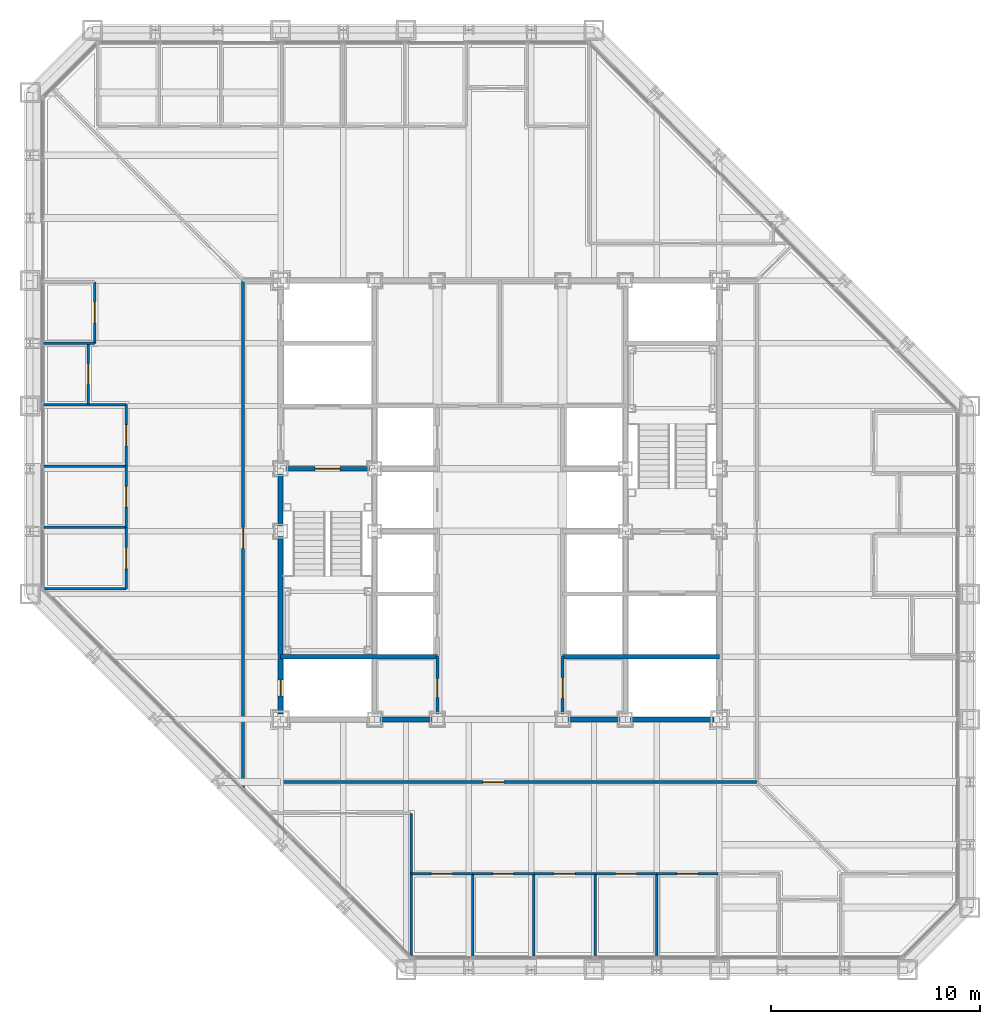
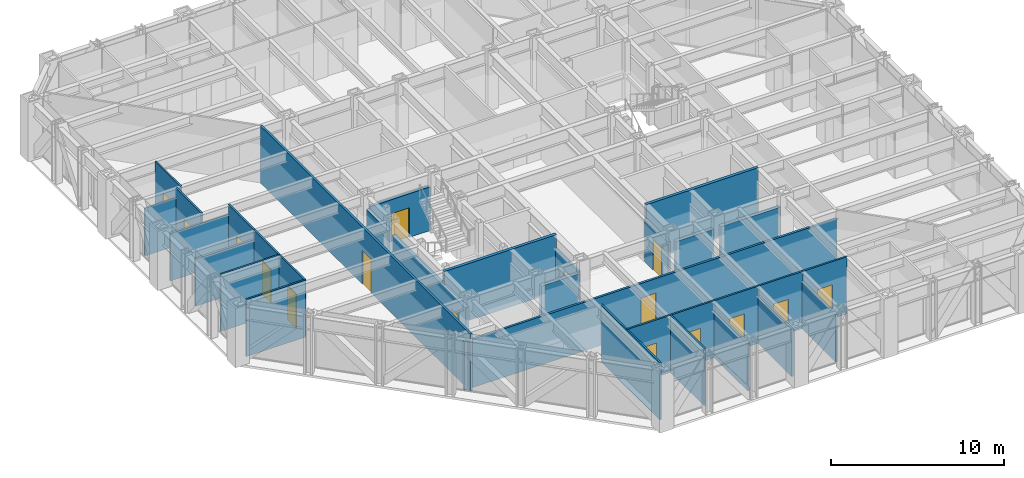
# One storey, part 10 of 17: 32 walls, 16 doors, 16 openings.
"""IFC4 building model written with IfcOpenShell, lengths in metres."""

from ifc_helpers import new_model, si_unit, direction, frame, frame_2d, origin, place, context, subcontext, project, spatial, rectangle, extrude, material, layer, layer_set, type_object, element, fill, save


model = new_model("IFC4")

# Units and contexts
model_context = context("Model", 3, precision=1e-05, world=origin(), true_north=direction((0.0, 1.0)))
body_context = subcontext(model_context, "Body", "Model", "MODEL_VIEW")
ifc_project = project(units=[si_unit("LENGTHUNIT", "METRE"), si_unit("AREAUNIT", "SQUARE_METRE"), si_unit("VOLUMEUNIT", "CUBIC_METRE"), si_unit("PLANEANGLEUNIT", "RADIAN"), si_unit("MASSUNIT", "GRAM", prefix="KILO")], contexts=[model_context])

# Site, building, storey
site_placement = place(None, origin())
site = spatial("IfcSite", under=ifc_project, at=site_placement, CompositionType="ELEMENT")
building_placement = place(site_placement, origin())
building = spatial("IfcBuilding", under=site, at=building_placement, Name="Chuquiago Exchange Tower", CompositionType="ELEMENT")
storey_placement = place(building_placement, frame((0.0, 0.0, 132.0)))
storey = spatial("IfcBuildingStorey", under=building, at=storey_placement, Name="L28", CompositionType="ELEMENT", Elevation=132.0)

# Wall, opening, door
ifc_material_1 = material(Name="Concrete masonry, fully grouted", Category="masonry")
ifc_layer_1 = layer(ifc_material_1, 0.25)
ifc_layer_set_1 = layer_set([ifc_layer_1], Name="W1 core wall 250")
wall_type_1 = type_object("IfcWallType", Name="W1 core wall 250", PredefinedType="SOLIDWALL", material=ifc_layer_set_1)
wall_1_placement = place(storey_placement, frame((12.0, 12.25, 0.0), z_axis=(0.0, 0.0, 1.0), x_axis=(0.0, 1.0, 0.0)))
wall_1 = element("IfcWall", 1, at=wall_1_placement, inside=storey, type_object=wall_type_1, Name="CW-L28-00-0", PredefinedType="SOLIDWALL", context=body_context, shape_type="SweptSolid", body=[
    extrude(rectangle(XDim=8.5, YDim=0.25, at=frame_2d((4.25, 0.0))), origin(), (0.0, 0.0, 1.0), 3.11279296875),
])
opening_1_placement = place(wall_1_placement, frame((0.875, 0.0, 0.0)))
opening_1 = element("IfcOpeningElement", 2, at=opening_1_placement, cuts=wall_1, Name="Opening L28-007", PredefinedType="OPENING", context=body_context, shape_type="SweptSolid", body=[
    extrude(rectangle(XDim=0.75, YDim=2.10009765625, at=frame_2d((0.375, 1.050048828125))), frame((0.0, 0.135009765625, 0.0), z_axis=(0.0, -1.0, 0.0), x_axis=(1.0, 0.0, 0.0)), (0.0, 0.0, 1.0), 0.27001953125),
])
ifc_material_2 = material(Name="Steel door, painted", Category="steel")
door_type_1 = type_object("IfcDoorType", Name="D6 riser access door 750x2100", OperationType="SINGLE_SWING_LEFT", PredefinedType="DOOR", material=ifc_material_2)
door_1_placement = place(opening_1_placement, frame((0.75, 0.0, 0.0), z_axis=(0.0, 0.0, 1.0), x_axis=(-1.0, 0.0, 0.0)))
door_1 = element("IfcDoor", 3, at=door_1_placement, inside=storey, type_object=door_type_1, Name="Riser RW1 door", OperationType="SINGLE_SWING_RIGHT", OverallHeight=2.10009765625, OverallWidth=0.75, PredefinedType="DOOR", context=body_context, shape_type="SweptSolid", body=[
    extrude(rectangle(XDim=0.75, YDim=2.10009765625, at=frame_2d((0.375, 1.050048828125))), frame((0.0, 0.02490234375, 0.0), z_axis=(0.0, -1.0, 0.0), x_axis=(1.0, 0.0, 0.0)), (0.0, 0.0, 1.0), 0.050048828125),
])
fill(opening_1, door_1)

# Walls
wall_2_placement = place(storey_placement, frame((12.0, 21.25, 0.0), z_axis=(0.0, 0.0, 1.0), x_axis=(0.0, 1.0, 0.0)))
element("IfcWall", 4, at=wall_2_placement, inside=storey, type_object=wall_type_1, Name="CW-L28-00-1", PredefinedType="SOLIDWALL", context=body_context, shape_type="SweptSolid", body=[
    extrude(rectangle(XDim=2.5, YDim=0.25, at=frame_2d((1.25, 0.0))), origin(), (0.0, 0.0, 1.0), 3.11279296875),
])
for number, where, z_axis, x_axis, name in (
    (5, (16.75, 12.0, 0.0), (0.0, 0.0, 1.0), (1.0, 0.0, 0.0), "CW-L28-01-1"),
    (6, (25.75, 12.0, 0.0), (0.0, 0.0, 1.0), (1.0, 0.0, 0.0), "CW-L28-02-0"),
):
    element("IfcWall", number, at=place(storey_placement, frame(where, z_axis=z_axis, x_axis=x_axis)), inside=storey, type_object=wall_type_1, Name=name, PredefinedType="SOLIDWALL", context=body_context, shape_type="SweptSolid", body=[
        extrude(rectangle(XDim=2.5, YDim=0.25, at=frame_2d((1.25, 0.0))), origin(), (0.0, 0.0, 1.0), 3.181396484375),
    ])
wall_3_placement = place(storey_placement, frame((28.75, 12.0, 0.0), z_axis=(0.0, 0.0, 1.0), x_axis=(1.0, 0.0, 0.0)))
element("IfcWall", 7, at=wall_3_placement, inside=storey, type_object=wall_type_1, Name="CW-L28-02-1", PredefinedType="SOLIDWALL", context=body_context, shape_type="SweptSolid", body=[
    extrude(rectangle(XDim=4.0, YDim=0.25, at=frame_2d((2.0, 0.0))), origin(), (0.0, 0.0, 1.0), 3.181396484375),
])

# Wall, opening, door
ifc_material_3 = material(Name="Gypsum board on steel studs, acoustic insulation", Category="steel")
ifc_layer_2 = layer(ifc_material_3, 0.14990234375)
ifc_layer_set_2 = layer_set([ifc_layer_2], Name="W11 corridor wall 150")
wall_type_2 = type_object("IfcWallType", Name="W11 corridor wall 150", PredefinedType="PARTITIONING", material=ifc_layer_set_2)
wall_4_placement = place(storey_placement, frame((9.885498046875, 9.0, 0.0), z_axis=(0.0, 0.0, 1.0), x_axis=(1.0, 0.0, 0.0)))
wall_4 = element("IfcWall", 8, at=wall_4_placement, inside=storey, type_object=wall_type_2, Name="PW-L28-GS0", PredefinedType="PARTITIONING", context=body_context, shape_type="SweptSolid", body=[
    extrude(rectangle(XDim=24.91455078125, YDim=0.14990234375, at=frame_2d((12.457275390625, 0.0))), origin(), (0.0, 0.0, 1.0), 3.427734375),
])
opening_2_placement = place(wall_4_placement, frame((11.800048828125, 0.0, 0.0)))
opening_2 = element("IfcOpeningElement", 9, at=opening_2_placement, cuts=wall_4, Name="Opening L28-046", PredefinedType="OPENING", context=body_context, shape_type="SweptSolid", body=[
    extrude(rectangle(XDim=1.0, YDim=2.39990234375, at=frame_2d((0.5, 1.199951171875))), frame((0.0, 0.0849609375, 0.0), z_axis=(0.0, -1.0, 0.0), x_axis=(1.0, 0.0, 0.0)), (0.0, 0.0, 1.0), 0.169921875),
])
ifc_material_4 = material(Name="Timber door, laminate faced", Category="wood")
door_type_2 = type_object("IfcDoorType", Name="D9 room door 1000x2400", OperationType="SINGLE_SWING_LEFT", PredefinedType="DOOR", material=ifc_material_4)
door_2_placement = place(opening_2_placement, frame((1.0, 0.0, 0.0), z_axis=(0.0, 0.0, 1.0), x_axis=(-1.0, 0.0, 0.0)))
door_2 = element("IfcDoor", 10, at=door_2_placement, inside=storey, type_object=door_type_2, Name="Team area door", OperationType="SINGLE_SWING_RIGHT", OverallHeight=2.39990234375, OverallWidth=1.0, PredefinedType="DOOR", context=body_context, shape_type="SweptSolid", body=[
    extrude(rectangle(XDim=1.0, YDim=2.39990234375, at=frame_2d((0.5, 1.199951171875))), frame((0.0, 0.02490234375, 0.0), z_axis=(0.0, -1.0, 0.0), x_axis=(1.0, 0.0, 0.0)), (0.0, 0.0, 1.0), 0.050048828125),
])
fill(opening_2, door_2)

wall_5_placement = place(storey_placement, frame((10.199951171875, 8.685546875, 0.0), z_axis=(0.0, 0.0, 1.0), x_axis=(0.0, 1.0, 0.0)))
wall_5 = element("IfcWall", 11, at=wall_5_placement, inside=storey, type_object=wall_type_2, Name="PW-L28-GW0", PredefinedType="PARTITIONING", context=body_context, shape_type="SweptSolid", body=[
    extrude(rectangle(XDim=24.314453125, YDim=0.14990234375, at=frame_2d((12.1572265625, 0.0))), origin(), (0.0, 0.0, 1.0), 4.0400390625),
])
opening_3_placement = place(wall_5_placement, frame((11.5, 0.0, 0.0)))
opening_3 = element("IfcOpeningElement", 12, at=opening_3_placement, cuts=wall_5, Name="Opening L28-047", PredefinedType="OPENING", context=body_context, shape_type="SweptSolid", body=[
    extrude(rectangle(XDim=1.0, YDim=2.39990234375, at=frame_2d((0.5, 1.199951171875))), frame((0.0, 0.0849609375, 0.0), z_axis=(0.0, -1.0, 0.0), x_axis=(1.0, 0.0, 0.0)), (0.0, 0.0, 1.0), 0.169921875),
])
door_3_placement = place(opening_3_placement, origin())
door_3 = element("IfcDoor", 13, at=door_3_placement, inside=storey, type_object=door_type_2, Name="Team area door", OperationType="SINGLE_SWING_LEFT", OverallHeight=2.39990234375, OverallWidth=1.0, PredefinedType="DOOR", context=body_context, shape_type="SweptSolid", body=[
    extrude(rectangle(XDim=1.0, YDim=2.39990234375, at=frame_2d((0.5, 1.199951171875))), frame((0.0, 0.02490234375, 0.0), z_axis=(0.0, -1.0, 0.0), x_axis=(1.0, 0.0, 0.0)), (0.0, 0.0, 1.0), 0.050048828125),
])
fill(opening_3, door_3)

# Walls
ifc_material_5 = material(Name="Concrete masonry, fully grouted", Category="masonry")
ifc_layer_3 = layer(ifc_material_5, 0.199951171875)
ifc_layer_set_3 = layer_set([ifc_layer_3], Name="W2 shaft wall 200")
wall_type_3 = type_object("IfcWallType", Name="W2 shaft wall 200", PredefinedType="SOLIDWALL", material=ifc_layer_set_3)
for number, where, z_axis, x_axis, name in (
    (14, (12.0, 15.0, 0.0), (0.0, 0.0, 1.0), (1.0, 0.0, 0.0), "CW-L28-03-0"),
    (15, (25.5, 15.0, 0.0), (0.0, 0.0, 1.0), (1.0, 0.0, 0.0), "CW-L28-04-0"),
):
    element("IfcWall", number, at=place(storey_placement, frame(where, z_axis=z_axis, x_axis=x_axis)), inside=storey, type_object=wall_type_3, Name=name, PredefinedType="SOLIDWALL", context=body_context, shape_type="SweptSolid", body=[
        extrude(rectangle(XDim=7.5, YDim=0.199951171875, at=frame_2d((3.75, 0.0))), origin(), (0.0, 0.0, 1.0), 4.0400390625),
    ])

# Wall, opening, door
wall_6_placement = place(storey_placement, frame((12.25, 24.0, 0.0), z_axis=(0.0, 0.0, 1.0), x_axis=(1.0, 0.0, 0.0)))
wall_6 = element("IfcWall", 16, at=wall_6_placement, inside=storey, type_object=wall_type_3, Name="CW-L28-05-0", PredefinedType="SOLIDWALL", context=body_context, shape_type="SweptSolid", body=[
    extrude(rectangle(XDim=4.0, YDim=0.199951171875, at=frame_2d((2.0, 0.0))), origin(), (0.0, 0.0, 1.0), 3.090087890625),
])
opening_4_placement = place(wall_6_placement, frame((1.39990234375, 0.0, 0.0)))
opening_4 = element("IfcOpeningElement", 17, at=opening_4_placement, cuts=wall_6, Name="Opening L28-001", PredefinedType="OPENING", context=body_context, shape_type="SweptSolid", body=[
    extrude(rectangle(XDim=1.199951171875, YDim=2.10009765625, at=frame_2d((0.60009765625, 1.050048828125))), frame((0.0, 0.10986328125, 0.0), z_axis=(0.0, -1.0, 0.0), x_axis=(1.0, 0.0, 0.0)), (0.0, 0.0, 1.0), 0.219970703125),
])
ifc_material_6 = material(Name="Steel door, painted", Category="steel")
door_type_3 = type_object("IfcDoorType", Name="D4 stair door 1200x2100", OperationType="SINGLE_SWING_LEFT", PredefinedType="DOOR", material=ifc_material_6)
door_4_placement = place(opening_4_placement, frame((1.199951171875, 0.0, 0.0), z_axis=(0.0, 0.0, 1.0), x_axis=(-1.0, 0.0, 0.0)))
door_4 = element("IfcDoor", 18, at=door_4_placement, inside=storey, type_object=door_type_3, Name="Stair ST1 door", OperationType="SINGLE_SWING_RIGHT", OverallHeight=2.10009765625, OverallWidth=1.199951171875, PredefinedType="DOOR", context=body_context, shape_type="SweptSolid", body=[
    extrude(rectangle(XDim=1.199951171875, YDim=2.10009765625, at=frame_2d((0.60009765625, 1.050048828125))), frame((0.0, 0.02490234375, 0.0), z_axis=(0.0, -1.0, 0.0), x_axis=(1.0, 0.0, 0.0)), (0.0, 0.0, 1.0), 0.050048828125),
])
fill(opening_4, door_4)

ifc_material_7 = material(Name="Gypsum board on steel studs", Category="steel")
ifc_layer_4 = layer(ifc_material_7, 0.14990234375)
ifc_layer_set_4 = layer_set([ifc_layer_4], Name="W3 core partition 150")
wall_type_4 = type_object("IfcWallType", Name="W3 core partition 150", PredefinedType="PARTITIONING", material=ifc_layer_set_4)
wall_7_placement = place(storey_placement, frame((19.5, 12.25, 0.0), z_axis=(0.0, 0.0, 1.0), x_axis=(0.0, 1.0, 0.0)))
wall_7 = element("IfcWall", 19, at=wall_7_placement, inside=storey, type_object=wall_type_4, Name="CW-L28-18-0", PredefinedType="PARTITIONING", context=body_context, shape_type="SweptSolid", body=[
    extrude(rectangle(XDim=2.75, YDim=0.14990234375, at=frame_2d((1.375, 0.0))), origin(), (0.0, 0.0, 1.0), 3.064697265625),
])
opening_5_placement = place(wall_7_placement, frame((0.800048828125, 0.0, 0.0)))
opening_5 = element("IfcOpeningElement", 20, at=opening_5_placement, cuts=wall_7, Name="Opening L28-014", PredefinedType="OPENING", context=body_context, shape_type="SweptSolid", body=[
    extrude(rectangle(XDim=0.89990234375, YDim=2.10009765625, at=frame_2d((0.449951171875, 1.050048828125))), frame((0.0, 0.0849609375, 0.0), z_axis=(0.0, -1.0, 0.0), x_axis=(1.0, 0.0, 0.0)), (0.0, 0.0, 1.0), 0.169921875),
])
ifc_material_8 = material(Name="Timber door, laminate faced", Category="wood")
door_type_4 = type_object("IfcDoorType", Name="D7 toilet door 900x2100", OperationType="SINGLE_SWING_LEFT", PredefinedType="DOOR", material=ifc_material_8)
door_5_placement = place(opening_5_placement, frame((0.89990234375, 0.0, 0.0), z_axis=(0.0, 0.0, 1.0), x_axis=(-1.0, 0.0, 0.0)))
door_5 = element("IfcDoor", 21, at=door_5_placement, inside=storey, type_object=door_type_4, Name="Cleaner door", OperationType="SINGLE_SWING_RIGHT", OverallHeight=2.10009765625, OverallWidth=0.89990234375, PredefinedType="DOOR", context=body_context, shape_type="SweptSolid", body=[
    extrude(rectangle(XDim=0.89990234375, YDim=2.10009765625, at=frame_2d((0.449951171875, 1.050048828125))), frame((0.0, 0.02490234375, 0.0), z_axis=(0.0, -1.0, 0.0), x_axis=(1.0, 0.0, 0.0)), (0.0, 0.0, 1.0), 0.050048828125),
])
fill(opening_5, door_5)

wall_8_placement = place(storey_placement, frame((25.5, 12.25, 0.0), z_axis=(0.0, 0.0, 1.0), x_axis=(0.0, 1.0, 0.0)))
wall_8 = element("IfcWall", 22, at=wall_8_placement, inside=storey, type_object=wall_type_4, Name="CW-L28-21-0", PredefinedType="PARTITIONING", context=body_context, shape_type="SweptSolid", body=[
    extrude(rectangle(XDim=2.75, YDim=0.14990234375, at=frame_2d((1.375, 0.0))), origin(), (0.0, 0.0, 1.0), 3.064697265625),
])
opening_6_placement = place(wall_8_placement, frame((0.75, 0.0, 0.0)))
opening_6 = element("IfcOpeningElement", 23, at=opening_6_placement, cuts=wall_8, Name="Opening L28-013", PredefinedType="OPENING", context=body_context, shape_type="SweptSolid", body=[
    extrude(rectangle(XDim=1.0, YDim=2.10009765625, at=frame_2d((0.5, 1.050048828125))), frame((0.0, 0.0849609375, 0.0), z_axis=(0.0, -1.0, 0.0), x_axis=(1.0, 0.0, 0.0)), (0.0, 0.0, 1.0), 0.169921875),
])
ifc_material_9 = material(Name="Timber door, laminate faced", Category="wood")
door_type_5 = type_object("IfcDoorType", Name="D8 accessible toilet door 1000x2100", OperationType="SLIDING_TO_LEFT", PredefinedType="DOOR", material=ifc_material_9)
door_6_placement = place(opening_6_placement, origin())
door_6 = element("IfcDoor", 24, at=door_6_placement, inside=storey, type_object=door_type_5, Name="Accessible WC door", OperationType="SLIDING_TO_LEFT", OverallHeight=2.10009765625, OverallWidth=1.0, PredefinedType="DOOR", context=body_context, shape_type="SweptSolid", body=[
    extrude(rectangle(XDim=1.0, YDim=2.10009765625, at=frame_2d((0.5, 1.050048828125))), frame((0.0, 0.02490234375, 0.0), z_axis=(0.0, -1.0, 0.0), x_axis=(1.0, 0.0, 0.0)), (0.0, 0.0, 1.0), 0.050048828125),
])
fill(opening_6, door_6)

# Walls
ifc_material_10 = material(Name="Gypsum board on steel studs", Category="steel")
ifc_layer_5 = layer(ifc_material_10, 0.1201171875)
ifc_layer_set_5 = layer_set([ifc_layer_5], Name="W4 partition 120")
wall_type_5 = type_object("IfcWallType", Name="W4 partition 120", PredefinedType="PARTITIONING", material=ifc_layer_set_5)
wall_9_placement = place(storey_placement, frame((18.24853515625, 0.666015625, 0.0), z_axis=(0.0, 0.0, 1.0), x_axis=(0.0, 1.0, 0.0)))
element("IfcWall", 25, at=wall_9_placement, inside=storey, type_object=wall_type_5, Name="PW-L28-S01825", PredefinedType="PARTITIONING", context=body_context, shape_type="SweptSolid", body=[
    extrude(rectangle(XDim=6.833984375, YDim=0.1201171875, at=frame_2d((3.4169921875, 0.0))), origin(), (0.0, 0.0, 1.0), 4.0400390625),
])
wall_10_placement = place(storey_placement, frame((21.186279296875, 0.652587890625, 0.0), z_axis=(0.0, 0.0, 1.0), x_axis=(0.0, 1.0, 0.0)))
element("IfcWall", 26, at=wall_10_placement, inside=storey, type_object=wall_type_5, Name="PW-L28-S02119", PredefinedType="PARTITIONING", context=body_context, shape_type="SweptSolid", body=[
    extrude(rectangle(XDim=3.947509765625, YDim=0.1201171875, at=frame_2d((1.9736328125, 0.0))), origin(), (0.0, 0.0, 1.0), 4.0400390625),
])
for number, where, z_axis, x_axis, name in (
    (27, (24.124267578125, 0.652587890625, 0.0), (0.0, 0.0, 1.0), (0.0, 1.0, 0.0), "PW-L28-S02412"),
    (28, (27.06201171875, 0.652587890625, 0.0), (0.0, 0.0, 1.0), (0.0, 1.0, 0.0), "PW-L28-S02706"),
    (29, (30.0, 0.652587890625, 0.0), (0.0, 0.0, 1.0), (0.0, 1.0, 0.0), "PW-L28-S03000"),
):
    element("IfcWall", number, at=place(storey_placement, frame(where, z_axis=z_axis, x_axis=x_axis)), inside=storey, type_object=wall_type_5, Name=name, PredefinedType="PARTITIONING", context=body_context, shape_type="SweptSolid", body=[
        extrude(rectangle(XDim=3.947509765625, YDim=0.1201171875, at=frame_2d((1.9736328125, 0.0))), origin(), (0.0, 0.0, 1.0), 3.356689453125),
    ])

# Wall, opening, door
wall_11_placement = place(storey_placement, frame((18.24853515625, 4.60009765625, 0.0), z_axis=(0.0, 0.0, 1.0), x_axis=(1.0, 0.0, 0.0)))
wall_11 = element("IfcWall", 30, at=wall_11_placement, inside=storey, type_object=wall_type_5, Name="PW-L28-SF01825", PredefinedType="PARTITIONING", context=body_context, shape_type="SweptSolid", body=[
    extrude(rectangle(XDim=2.937744140625, YDim=0.1201171875, at=frame_2d((1.46875, 0.0))), origin(), (0.0, 0.0, 1.0), 4.0400390625),
])
opening_7_placement = place(wall_11_placement, frame((0.968994140625, 0.0, 0.0)))
opening_7 = element("IfcOpeningElement", 31, at=opening_7_placement, cuts=wall_11, Name="Opening L28-020", PredefinedType="OPENING", context=body_context, shape_type="SweptSolid", body=[
    extrude(rectangle(XDim=1.0, YDim=2.39990234375, at=frame_2d((0.5, 1.199951171875))), frame((0.0, 0.070068359375, 0.0), z_axis=(0.0, -1.0, 0.0), x_axis=(1.0, 0.0, 0.0)), (0.0, 0.0, 1.0), 0.14013671875),
])
door_7_placement = place(opening_7_placement, frame((1.0, 0.0, 0.0), z_axis=(0.0, 0.0, 1.0), x_axis=(-1.0, 0.0, 0.0)))
door_7 = element("IfcDoor", 32, at=door_7_placement, inside=storey, type_object=door_type_2, Name="Office door", OperationType="SINGLE_SWING_RIGHT", OverallHeight=2.39990234375, OverallWidth=1.0, PredefinedType="DOOR", context=body_context, shape_type="SweptSolid", body=[
    extrude(rectangle(XDim=1.0, YDim=2.39990234375, at=frame_2d((0.5, 1.199951171875))), frame((0.0, 0.02490234375, 0.0), z_axis=(0.0, -1.0, 0.0), x_axis=(1.0, 0.0, 0.0)), (0.0, 0.0, 1.0), 0.050048828125),
])
fill(opening_7, door_7)

wall_12_placement = place(storey_placement, frame((21.186279296875, 4.60009765625, 0.0), z_axis=(0.0, 0.0, 1.0), x_axis=(1.0, 0.0, 0.0)))
wall_12 = element("IfcWall", 33, at=wall_12_placement, inside=storey, type_object=wall_type_5, Name="PW-L28-SF02119", PredefinedType="PARTITIONING", context=body_context, shape_type="SweptSolid", body=[
    extrude(rectangle(XDim=2.93798828125, YDim=0.1201171875, at=frame_2d((1.468994140625, 0.0))), origin(), (0.0, 0.0, 1.0), 4.0400390625),
])
opening_8_placement = place(wall_12_placement, frame((0.968994140625, 0.0, 0.0)))
opening_8 = element("IfcOpeningElement", 34, at=opening_8_placement, cuts=wall_12, Name="Opening L28-021", PredefinedType="OPENING", context=body_context, shape_type="SweptSolid", body=[
    extrude(rectangle(XDim=1.0, YDim=2.39990234375, at=frame_2d((0.5, 1.199951171875))), frame((0.0, 0.070068359375, 0.0), z_axis=(0.0, -1.0, 0.0), x_axis=(1.0, 0.0, 0.0)), (0.0, 0.0, 1.0), 0.14013671875),
])
door_8_placement = place(opening_8_placement, frame((1.0, 0.0, 0.0), z_axis=(0.0, 0.0, 1.0), x_axis=(-1.0, 0.0, 0.0)))
door_8 = element("IfcDoor", 35, at=door_8_placement, inside=storey, type_object=door_type_2, Name="Office door", OperationType="SINGLE_SWING_LEFT", OverallHeight=2.39990234375, OverallWidth=1.0, PredefinedType="DOOR", context=body_context, shape_type="SweptSolid", body=[
    extrude(rectangle(XDim=1.0, YDim=2.39990234375, at=frame_2d((0.5, 1.199951171875))), frame((0.0, 0.02490234375, 0.0), z_axis=(0.0, -1.0, 0.0), x_axis=(1.0, 0.0, 0.0)), (0.0, 0.0, 1.0), 0.050048828125),
])
fill(opening_8, door_8)

wall_13_placement = place(storey_placement, frame((24.124267578125, 4.60009765625, 0.0), z_axis=(0.0, 0.0, 1.0), x_axis=(1.0, 0.0, 0.0)))
wall_13 = element("IfcWall", 36, at=wall_13_placement, inside=storey, type_object=wall_type_5, Name="PW-L28-SF02412", PredefinedType="PARTITIONING", context=body_context, shape_type="SweptSolid", body=[
    extrude(rectangle(XDim=2.937744140625, YDim=0.1201171875, at=frame_2d((1.46875, 0.0))), origin(), (0.0, 0.0, 1.0), 4.0400390625),
])
opening_9_placement = place(wall_13_placement, frame((0.968994140625, 0.0, 0.0)))
opening_9 = element("IfcOpeningElement", 37, at=opening_9_placement, cuts=wall_13, Name="Opening L28-022", PredefinedType="OPENING", context=body_context, shape_type="SweptSolid", body=[
    extrude(rectangle(XDim=1.0, YDim=2.39990234375, at=frame_2d((0.5, 1.199951171875))), frame((0.0, 0.070068359375, 0.0), z_axis=(0.0, -1.0, 0.0), x_axis=(1.0, 0.0, 0.0)), (0.0, 0.0, 1.0), 0.14013671875),
])
door_9_placement = place(opening_9_placement, frame((1.0, 0.0, 0.0), z_axis=(0.0, 0.0, 1.0), x_axis=(-1.0, 0.0, 0.0)))
door_9 = element("IfcDoor", 38, at=door_9_placement, inside=storey, type_object=door_type_2, Name="Office door", OperationType="SINGLE_SWING_LEFT", OverallHeight=2.39990234375, OverallWidth=1.0, PredefinedType="DOOR", context=body_context, shape_type="SweptSolid", body=[
    extrude(rectangle(XDim=1.0, YDim=2.39990234375, at=frame_2d((0.5, 1.199951171875))), frame((0.0, 0.02490234375, 0.0), z_axis=(0.0, -1.0, 0.0), x_axis=(1.0, 0.0, 0.0)), (0.0, 0.0, 1.0), 0.050048828125),
])
fill(opening_9, door_9)

wall_14_placement = place(storey_placement, frame((27.06201171875, 4.60009765625, 0.0), z_axis=(0.0, 0.0, 1.0), x_axis=(1.0, 0.0, 0.0)))
wall_14 = element("IfcWall", 39, at=wall_14_placement, inside=storey, type_object=wall_type_5, Name="PW-L28-SF02706", PredefinedType="PARTITIONING", context=body_context, shape_type="SweptSolid", body=[
    extrude(rectangle(XDim=2.93798828125, YDim=0.1201171875, at=frame_2d((1.468994140625, 0.0))), origin(), (0.0, 0.0, 1.0), 4.0400390625),
])
opening_10_placement = place(wall_14_placement, frame((0.968994140625, 0.0, 0.0)))
opening_10 = element("IfcOpeningElement", 40, at=opening_10_placement, cuts=wall_14, Name="Opening L28-023", PredefinedType="OPENING", context=body_context, shape_type="SweptSolid", body=[
    extrude(rectangle(XDim=1.0, YDim=2.39990234375, at=frame_2d((0.5, 1.199951171875))), frame((0.0, 0.070068359375, 0.0), z_axis=(0.0, -1.0, 0.0), x_axis=(1.0, 0.0, 0.0)), (0.0, 0.0, 1.0), 0.14013671875),
])
door_10_placement = place(opening_10_placement, frame((1.0, 0.0, 0.0), z_axis=(0.0, 0.0, 1.0), x_axis=(-1.0, 0.0, 0.0)))
door_10 = element("IfcDoor", 41, at=door_10_placement, inside=storey, type_object=door_type_2, Name="Office door", OperationType="SINGLE_SWING_RIGHT", OverallHeight=2.39990234375, OverallWidth=1.0, PredefinedType="DOOR", context=body_context, shape_type="SweptSolid", body=[
    extrude(rectangle(XDim=1.0, YDim=2.39990234375, at=frame_2d((0.5, 1.199951171875))), frame((0.0, 0.02490234375, 0.0), z_axis=(0.0, -1.0, 0.0), x_axis=(1.0, 0.0, 0.0)), (0.0, 0.0, 1.0), 0.050048828125),
])
fill(opening_10, door_10)

wall_15_placement = place(storey_placement, frame((30.0, 4.60009765625, 0.0), z_axis=(0.0, 0.0, 1.0), x_axis=(1.0, 0.0, 0.0)))
wall_15 = element("IfcWall", 42, at=wall_15_placement, inside=storey, type_object=wall_type_5, Name="PW-L28-SF03000", PredefinedType="PARTITIONING", context=body_context, shape_type="SweptSolid", body=[
    extrude(rectangle(XDim=2.93798828125, YDim=0.1201171875, at=frame_2d((1.468994140625, 0.0))), origin(), (0.0, 0.0, 1.0), 4.0400390625),
])
opening_11_placement = place(wall_15_placement, frame((0.968994140625, 0.0, 0.0)))
opening_11 = element("IfcOpeningElement", 43, at=opening_11_placement, cuts=wall_15, Name="Opening L28-024", PredefinedType="OPENING", context=body_context, shape_type="SweptSolid", body=[
    extrude(rectangle(XDim=1.0, YDim=2.39990234375, at=frame_2d((0.5, 1.199951171875))), frame((0.0, 0.070068359375, 0.0), z_axis=(0.0, -1.0, 0.0), x_axis=(1.0, 0.0, 0.0)), (0.0, 0.0, 1.0), 0.14013671875),
])
door_11_placement = place(opening_11_placement, frame((1.0, 0.0, 0.0), z_axis=(0.0, 0.0, 1.0), x_axis=(-1.0, 0.0, 0.0)))
door_11 = element("IfcDoor", 44, at=door_11_placement, inside=storey, type_object=door_type_2, Name="Office door", OperationType="SINGLE_SWING_RIGHT", OverallHeight=2.39990234375, OverallWidth=1.0, PredefinedType="DOOR", context=body_context, shape_type="SweptSolid", body=[
    extrude(rectangle(XDim=1.0, YDim=2.39990234375, at=frame_2d((0.5, 1.199951171875))), frame((0.0, 0.02490234375, 0.0), z_axis=(0.0, -1.0, 0.0), x_axis=(1.0, 0.0, 0.0)), (0.0, 0.0, 1.0), 0.050048828125),
])
fill(opening_11, door_11)

# Walls
wall_16_placement = place(storey_placement, frame((0.666015625, 18.24853515625, 0.0), z_axis=(0.0, 0.0, 1.0), x_axis=(1.0, 0.0, 0.0)))
element("IfcWall", 45, at=wall_16_placement, inside=storey, type_object=wall_type_5, Name="PW-L28-W01825", PredefinedType="PARTITIONING", context=body_context, shape_type="SweptSolid", body=[
    extrude(rectangle(XDim=3.93408203125, YDim=0.1201171875, at=frame_2d((1.967041015625, 0.0))), origin(), (0.0, 0.0, 1.0), 4.0400390625),
])
wall_17_placement = place(storey_placement, frame((0.652587890625, 21.186279296875, 0.0), z_axis=(0.0, 0.0, 1.0), x_axis=(1.0, 0.0, 0.0)))
element("IfcWall", 46, at=wall_17_placement, inside=storey, type_object=wall_type_5, Name="PW-L28-W02119", PredefinedType="PARTITIONING", context=body_context, shape_type="SweptSolid", body=[
    extrude(rectangle(XDim=3.947509765625, YDim=0.1201171875, at=frame_2d((1.9736328125, 0.0))), origin(), (0.0, 0.0, 1.0), 4.0400390625),
])
for number, where, z_axis, x_axis, name in (
    (47, (0.652587890625, 24.124267578125, 0.0), (0.0, 0.0, 1.0), (1.0, 0.0, 0.0), "PW-L28-W02412"),
    (48, (0.652587890625, 27.06201171875, 0.0), (0.0, 0.0, 1.0), (1.0, 0.0, 0.0), "PW-L28-W02706"),
):
    element("IfcWall", number, at=place(storey_placement, frame(where, z_axis=z_axis, x_axis=x_axis)), inside=storey, type_object=wall_type_5, Name=name, PredefinedType="PARTITIONING", context=body_context, shape_type="SweptSolid", body=[
        extrude(rectangle(XDim=3.947509765625, YDim=0.1201171875, at=frame_2d((1.9736328125, 0.0))), origin(), (0.0, 0.0, 1.0), 3.356689453125),
    ])
wall_18_placement = place(storey_placement, frame((0.652587890625, 30.0, 0.0), z_axis=(0.0, 0.0, 1.0), x_axis=(1.0, 0.0, 0.0)))
element("IfcWall", 49, at=wall_18_placement, inside=storey, type_object=wall_type_5, Name="PW-L28-W03000", PredefinedType="PARTITIONING", context=body_context, shape_type="SweptSolid", body=[
    extrude(rectangle(XDim=2.447509765625, YDim=0.1201171875, at=frame_2d((1.2236328125, 0.0))), origin(), (0.0, 0.0, 1.0), 3.356689453125),
])

# Wall, opening, door
wall_19_placement = place(storey_placement, frame((4.60009765625, 18.24853515625, 0.0), z_axis=(0.0, 0.0, 1.0), x_axis=(0.0, 1.0, 0.0)))
wall_19 = element("IfcWall", 50, at=wall_19_placement, inside=storey, type_object=wall_type_5, Name="PW-L28-WF01825", PredefinedType="PARTITIONING", context=body_context, shape_type="SweptSolid", body=[
    extrude(rectangle(XDim=2.937744140625, YDim=0.1201171875, at=frame_2d((1.46875, 0.0))), origin(), (0.0, 0.0, 1.0), 4.0400390625),
])
opening_12_placement = place(wall_19_placement, frame((0.968994140625, 0.0, 0.0)))
opening_12 = element("IfcOpeningElement", 51, at=opening_12_placement, cuts=wall_19, Name="Opening L28-041", PredefinedType="OPENING", context=body_context, shape_type="SweptSolid", body=[
    extrude(rectangle(XDim=1.0, YDim=2.39990234375, at=frame_2d((0.5, 1.199951171875))), frame((0.0, 0.070068359375, 0.0), z_axis=(0.0, -1.0, 0.0), x_axis=(1.0, 0.0, 0.0)), (0.0, 0.0, 1.0), 0.14013671875),
])
door_12_placement = place(opening_12_placement, origin())
door_12 = element("IfcDoor", 52, at=door_12_placement, inside=storey, type_object=door_type_2, Name="Office door", OperationType="SINGLE_SWING_LEFT", OverallHeight=2.39990234375, OverallWidth=1.0, PredefinedType="DOOR", context=body_context, shape_type="SweptSolid", body=[
    extrude(rectangle(XDim=1.0, YDim=2.39990234375, at=frame_2d((0.5, 1.199951171875))), frame((0.0, 0.02490234375, 0.0), z_axis=(0.0, -1.0, 0.0), x_axis=(1.0, 0.0, 0.0)), (0.0, 0.0, 1.0), 0.050048828125),
])
fill(opening_12, door_12)

wall_20_placement = place(storey_placement, frame((4.60009765625, 21.186279296875, 0.0), z_axis=(0.0, 0.0, 1.0), x_axis=(0.0, 1.0, 0.0)))
wall_20 = element("IfcWall", 53, at=wall_20_placement, inside=storey, type_object=wall_type_5, Name="PW-L28-WF02119", PredefinedType="PARTITIONING", context=body_context, shape_type="SweptSolid", body=[
    extrude(rectangle(XDim=2.93798828125, YDim=0.1201171875, at=frame_2d((1.468994140625, 0.0))), origin(), (0.0, 0.0, 1.0), 4.0400390625),
])
opening_13_placement = place(wall_20_placement, frame((0.968994140625, 0.0, 0.0)))
opening_13 = element("IfcOpeningElement", 54, at=opening_13_placement, cuts=wall_20, Name="Opening L28-042", PredefinedType="OPENING", context=body_context, shape_type="SweptSolid", body=[
    extrude(rectangle(XDim=1.0, YDim=2.39990234375, at=frame_2d((0.5, 1.199951171875))), frame((0.0, 0.070068359375, 0.0), z_axis=(0.0, -1.0, 0.0), x_axis=(1.0, 0.0, 0.0)), (0.0, 0.0, 1.0), 0.14013671875),
])
door_13_placement = place(opening_13_placement, origin())
door_13 = element("IfcDoor", 55, at=door_13_placement, inside=storey, type_object=door_type_2, Name="Office door", OperationType="SINGLE_SWING_RIGHT", OverallHeight=2.39990234375, OverallWidth=1.0, PredefinedType="DOOR", context=body_context, shape_type="SweptSolid", body=[
    extrude(rectangle(XDim=1.0, YDim=2.39990234375, at=frame_2d((0.5, 1.199951171875))), frame((0.0, 0.02490234375, 0.0), z_axis=(0.0, -1.0, 0.0), x_axis=(1.0, 0.0, 0.0)), (0.0, 0.0, 1.0), 0.050048828125),
])
fill(opening_13, door_13)

wall_21_placement = place(storey_placement, frame((4.60009765625, 24.124267578125, 0.0), z_axis=(0.0, 0.0, 1.0), x_axis=(0.0, 1.0, 0.0)))
wall_21 = element("IfcWall", 56, at=wall_21_placement, inside=storey, type_object=wall_type_5, Name="PW-L28-WF02412", PredefinedType="PARTITIONING", context=body_context, shape_type="SweptSolid", body=[
    extrude(rectangle(XDim=2.937744140625, YDim=0.1201171875, at=frame_2d((1.46875, 0.0))), origin(), (0.0, 0.0, 1.0), 4.0400390625),
])
opening_14_placement = place(wall_21_placement, frame((0.968994140625, 0.0, 0.0)))
opening_14 = element("IfcOpeningElement", 57, at=opening_14_placement, cuts=wall_21, Name="Opening L28-043", PredefinedType="OPENING", context=body_context, shape_type="SweptSolid", body=[
    extrude(rectangle(XDim=1.0, YDim=2.39990234375, at=frame_2d((0.5, 1.199951171875))), frame((0.0, 0.070068359375, 0.0), z_axis=(0.0, -1.0, 0.0), x_axis=(1.0, 0.0, 0.0)), (0.0, 0.0, 1.0), 0.14013671875),
])
door_14_placement = place(opening_14_placement, origin())
door_14 = element("IfcDoor", 58, at=door_14_placement, inside=storey, type_object=door_type_2, Name="Office door", OperationType="SINGLE_SWING_RIGHT", OverallHeight=2.39990234375, OverallWidth=1.0, PredefinedType="DOOR", context=body_context, shape_type="SweptSolid", body=[
    extrude(rectangle(XDim=1.0, YDim=2.39990234375, at=frame_2d((0.5, 1.199951171875))), frame((0.0, 0.02490234375, 0.0), z_axis=(0.0, -1.0, 0.0), x_axis=(1.0, 0.0, 0.0)), (0.0, 0.0, 1.0), 0.050048828125),
])
fill(opening_14, door_14)

wall_22_placement = place(storey_placement, frame((2.800048828125, 27.06201171875, 0.0), z_axis=(0.0, 0.0, 1.0), x_axis=(0.0, 1.0, 0.0)))
wall_22 = element("IfcWall", 59, at=wall_22_placement, inside=storey, type_object=wall_type_5, Name="PW-L28-WF02706", PredefinedType="PARTITIONING", context=body_context, shape_type="SweptSolid", body=[
    extrude(rectangle(XDim=2.93798828125, YDim=0.1201171875, at=frame_2d((1.468994140625, 0.0))), origin(), (0.0, 0.0, 1.0), 4.0400390625),
])
opening_15_placement = place(wall_22_placement, frame((0.968994140625, 0.0, 0.0)))
opening_15 = element("IfcOpeningElement", 60, at=opening_15_placement, cuts=wall_22, Name="Opening L28-044", PredefinedType="OPENING", context=body_context, shape_type="SweptSolid", body=[
    extrude(rectangle(XDim=1.0, YDim=2.39990234375, at=frame_2d((0.5, 1.199951171875))), frame((0.0, 0.070068359375, 0.0), z_axis=(0.0, -1.0, 0.0), x_axis=(1.0, 0.0, 0.0)), (0.0, 0.0, 1.0), 0.14013671875),
])
ifc_material_11 = material(Name="Timber frame door, full height glazed panel", Category="wood")
door_type_6 = type_object("IfcDoorType", Name="D14 glazed meeting room door 1000x2400", OperationType="SINGLE_SWING_LEFT", PredefinedType="DOOR", material=ifc_material_11)
door_15_placement = place(opening_15_placement, origin())
door_15 = element("IfcDoor", 61, at=door_15_placement, inside=storey, type_object=door_type_6, Name="Focus room door", OperationType="SINGLE_SWING_LEFT", OverallHeight=2.39990234375, OverallWidth=1.0, PredefinedType="DOOR", context=body_context, shape_type="SweptSolid", body=[
    extrude(rectangle(XDim=1.0, YDim=2.39990234375, at=frame_2d((0.5, 1.199951171875))), frame((0.0, 0.02490234375, 0.0), z_axis=(0.0, -1.0, 0.0), x_axis=(1.0, 0.0, 0.0)), (0.0, 0.0, 1.0), 0.050048828125),
])
fill(opening_15, door_15)

wall_23_placement = place(storey_placement, frame((3.10009765625, 30.0, 0.0), z_axis=(0.0, 0.0, 1.0), x_axis=(0.0, 1.0, 0.0)))
wall_23 = element("IfcWall", 62, at=wall_23_placement, inside=storey, type_object=wall_type_5, Name="PW-L28-WF03000", PredefinedType="PARTITIONING", context=body_context, shape_type="SweptSolid", body=[
    extrude(rectangle(XDim=2.93798828125, YDim=0.1201171875, at=frame_2d((1.468994140625, 0.0))), origin(), (0.0, 0.0, 1.0), 4.0400390625),
])
opening_16_placement = place(wall_23_placement, frame((0.968994140625, 0.0, 0.0)))
opening_16 = element("IfcOpeningElement", 63, at=opening_16_placement, cuts=wall_23, Name="Opening L28-045", PredefinedType="OPENING", context=body_context, shape_type="SweptSolid", body=[
    extrude(rectangle(XDim=1.0, YDim=2.39990234375, at=frame_2d((0.5, 1.199951171875))), frame((0.0, 0.070068359375, 0.0), z_axis=(0.0, -1.0, 0.0), x_axis=(1.0, 0.0, 0.0)), (0.0, 0.0, 1.0), 0.14013671875),
])
door_16_placement = place(opening_16_placement, origin())
door_16 = element("IfcDoor", 64, at=door_16_placement, inside=storey, type_object=door_type_2, Name="Store door", OperationType="SINGLE_SWING_LEFT", OverallHeight=2.39990234375, OverallWidth=1.0, PredefinedType="DOOR", context=body_context, shape_type="SweptSolid", body=[
    extrude(rectangle(XDim=1.0, YDim=2.39990234375, at=frame_2d((0.5, 1.199951171875))), frame((0.0, 0.02490234375, 0.0), z_axis=(0.0, -1.0, 0.0), x_axis=(1.0, 0.0, 0.0)), (0.0, 0.0, 1.0), 0.050048828125),
])
fill(opening_16, door_16)

save(model, "model.ifc")
